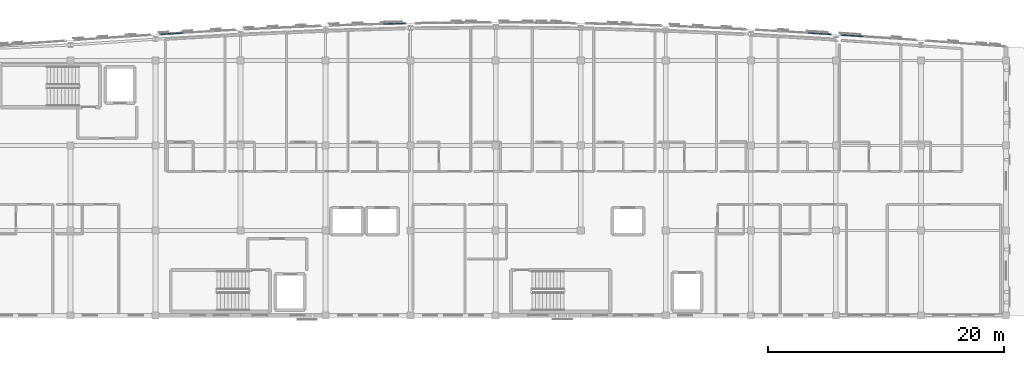
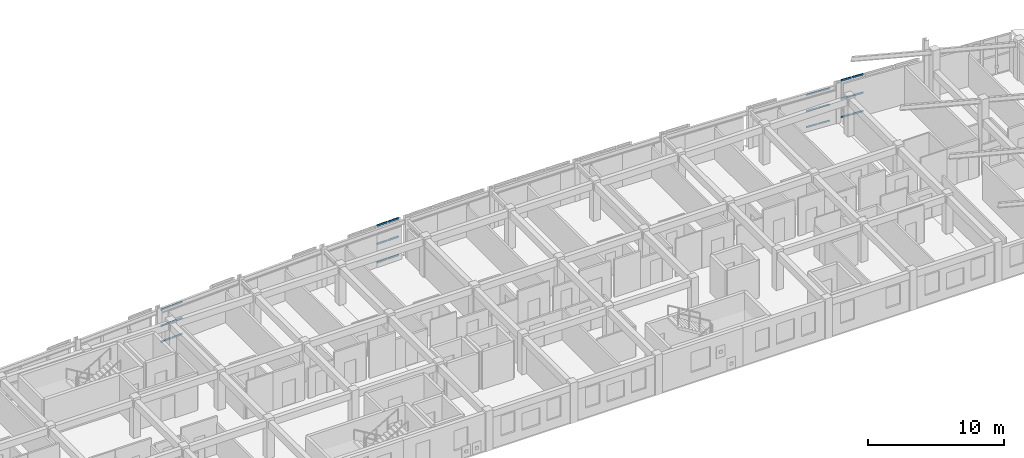
# One storey, part 25 of 41: 24 members, 4 elements without a shape of their own.
"""IFC4 building model written with IfcOpenShell, lengths in metres."""

from ifc_helpers import new_model, si_unit, direction, frame, origin, origin_2d, place, context, subcontext, project, spatial, hollow_rectangle, extrude, material, layer, layer_set, material_profile, profile_set, type_object, element, aggregate, save


model = new_model("IFC4")

# Units and contexts
model_context = context("Model", 3, precision=1e-05, world=origin(), true_north=direction((0.0, 1.0)))
body_context = subcontext(model_context, "Body", "Model", "MODEL_VIEW")
ifc_project = project(units=[si_unit("LENGTHUNIT", "METRE"), si_unit("AREAUNIT", "SQUARE_METRE"), si_unit("VOLUMEUNIT", "CUBIC_METRE"), si_unit("PLANEANGLEUNIT", "RADIAN"), si_unit("MASSUNIT", "GRAM", prefix="KILO")], contexts=[model_context])

# Site, building, storey
site_placement = place(None, origin())
site = spatial("IfcSite", under=ifc_project, at=site_placement, CompositionType="ELEMENT")
building_placement = place(site_placement, origin())
building = spatial("IfcBuilding", under=site, at=building_placement, Name="Carrowvane Square Congress Hotel", CompositionType="ELEMENT")
storey_placement = place(building_placement, frame((0.0, 0.0, 37.199951171875)))
storey = spatial("IfcBuildingStorey", under=building, at=storey_placement, Name="L09", CompositionType="ELEMENT", Elevation=37.199951171875)

# Curtain wall, members
ifc_material_1 = material(Name="Anodised aluminium", Category="aluminium")
ifc_layer_1 = layer(ifc_material_1, 0.23388671875)
ifc_layer_set_1 = layer_set([ifc_layer_1], Name="Anodised aluminium")
curtain_wall_type_1 = type_object("IfcCurtainWallType", Name="CW-SYS-7", PredefinedType="NOTDEFINED", material=ifc_layer_set_1)
curtain_wall_1_placement = place(storey_placement, origin())
curtain_wall_1 = element("IfcCurtainWall", 1, at=curtain_wall_1_placement, inside=storey, type_object=curtain_wall_type_1, Name="L09 unitised curtain wall 542", PredefinedType="NOTDEFINED")
ifc_material_2 = material(Name="Anodised aluminium", Category="aluminium")
ifc_material_profile_1 = material_profile(ifc_material_2, hollow_rectangle(XDim=0.06005859375, YDim=0.1298828125, WallThickness=0.00390625, at=origin_2d()), Name="CW-TR 60x130x4")
ifc_profile_set_1 = profile_set([ifc_material_profile_1], Name="Anodised aluminium")
member_type_1 = type_object("IfcMemberType", Name="CW-TRN-1", PredefinedType="USERDEFINED", material=ifc_profile_set_1)
member_1_placement = place(storey_placement, frame((124.4599609375, 115.720703125, 0.030029296875), z_axis=(0.998038282592, -0.062606600929, 0.0), x_axis=(0.062606600929, 0.998038282592, 0.0)))
member_1 = element("IfcMember", 2, at=member_1_placement, type_object=member_type_1, Name="CW-7 transom 1.1", ObjectType="TRANSOM", PredefinedType="USERDEFINED", context=body_context, shape_type="SweptSolid", body=[
    extrude(hollow_rectangle(XDim=0.06005859375, YDim=0.1298828125, WallThickness=0.00390625, at=origin_2d()), origin(), (0.0, 0.0, 1.0), 0.931884765625),
])
member_2_placement = place(storey_placement, frame((124.4599609375, 115.720703125, 1.477783203125), z_axis=(0.998038282592, -0.062606600929, 0.0), x_axis=(0.062606600929, 0.998038282592, 0.0)))
member_2 = element("IfcMember", 3, at=member_2_placement, type_object=member_type_1, Name="CW-7 transom 1.2", ObjectType="TRANSOM", PredefinedType="USERDEFINED", context=body_context, shape_type="SweptSolid", body=[
    extrude(hollow_rectangle(XDim=0.06005859375, YDim=0.1298828125, WallThickness=0.00390625, at=origin_2d()), origin(), (0.0, 0.0, 1.0), 0.931884765625),
])
member_3_placement = place(storey_placement, frame((124.4599609375, 115.720703125, 2.925537109375), z_axis=(0.998038282592, -0.062606600929, 0.0), x_axis=(0.062606600929, 0.998038282592, 0.0)))
member_3 = element("IfcMember", 4, at=member_3_placement, type_object=member_type_1, Name="CW-7 transom 1.3", ObjectType="TRANSOM", PredefinedType="USERDEFINED", context=body_context, shape_type="SweptSolid", body=[
    extrude(hollow_rectangle(XDim=0.06005859375, YDim=0.1298828125, WallThickness=0.00390625, at=origin_2d()), origin(), (0.0, 0.0, 1.0), 0.931884765625),
])
member_4_placement = place(storey_placement, frame((125.449951171875, 115.65869140625, 0.030029296875), z_axis=(0.998054616523, -0.062345668959, 0.0), x_axis=(0.062345668959, 0.998054616523, 0.0)))
member_4 = element("IfcMember", 5, at=member_4_placement, type_object=member_type_1, Name="CW-7 transom 2.1", ObjectType="TRANSOM", PredefinedType="USERDEFINED", context=body_context, shape_type="SweptSolid", body=[
    extrude(hollow_rectangle(XDim=0.06005859375, YDim=0.1298828125, WallThickness=0.00390625, at=origin_2d()), origin(), (0.0, 0.0, 1.0), 0.931884765625),
])
member_5_placement = place(storey_placement, frame((125.449951171875, 115.65869140625, 1.477783203125), z_axis=(0.998054616523, -0.062345668959, 0.0), x_axis=(0.062345668959, 0.998054616523, 0.0)))
member_5 = element("IfcMember", 6, at=member_5_placement, type_object=member_type_1, Name="CW-7 transom 2.2", ObjectType="TRANSOM", PredefinedType="USERDEFINED", context=body_context, shape_type="SweptSolid", body=[
    extrude(hollow_rectangle(XDim=0.06005859375, YDim=0.1298828125, WallThickness=0.00390625, at=origin_2d()), origin(), (0.0, 0.0, 1.0), 0.931884765625),
])
member_6_placement = place(storey_placement, frame((125.449951171875, 115.65869140625, 2.925537109375), z_axis=(0.998054616523, -0.062345668959, 0.0), x_axis=(0.062345668959, 0.998054616523, 0.0)))
member_6 = element("IfcMember", 7, at=member_6_placement, type_object=member_type_1, Name="CW-7 transom 2.3", ObjectType="TRANSOM", PredefinedType="USERDEFINED", context=body_context, shape_type="SweptSolid", body=[
    extrude(hollow_rectangle(XDim=0.06005859375, YDim=0.1298828125, WallThickness=0.00390625, at=origin_2d()), origin(), (0.0, 0.0, 1.0), 0.931884765625),
])
aggregate(curtain_wall_1, [member_1, member_2, member_3, member_4, member_5, member_6])

ifc_material_3 = material(Name="Anodised aluminium", Category="aluminium")
ifc_layer_2 = layer(ifc_material_3, 0.24609375)
ifc_layer_set_2 = layer_set([ifc_layer_2], Name="Anodised aluminium")
curtain_wall_type_2 = type_object("IfcCurtainWallType", Name="CW-SYS-8", PredefinedType="NOTDEFINED", material=ifc_layer_set_2)
curtain_wall_2_placement = place(storey_placement, origin())
curtain_wall_2 = element("IfcCurtainWall", 8, at=curtain_wall_2_placement, inside=storey, type_object=curtain_wall_type_2, Name="L09 unitised curtain wall 519", PredefinedType="NOTDEFINED")
ifc_material_4 = material(Name="Anodised aluminium", Category="aluminium")
ifc_material_profile_2 = material_profile(ifc_material_4, hollow_rectangle(XDim=0.070068359375, YDim=0.14990234375, WallThickness=0.0048828125, at=origin_2d()), Name="CW-TR 70x150x5")
ifc_profile_set_2 = profile_set([ifc_material_profile_2], Name="Anodised aluminium")
member_type_2 = type_object("IfcMemberType", Name="CW-TRN-2", PredefinedType="USERDEFINED", material=ifc_profile_set_2)
member_7_placement = place(storey_placement, frame((69.6298828125, 115.60107421875, 0.03515625), z_axis=(0.998041167403, 0.062560595983, 0.0), x_axis=(-0.062560595983, 0.998041167403, 0.0)))
member_7 = element("IfcMember", 9, at=member_7_placement, type_object=member_type_2, Name="CW-8 transom 1.1", ObjectType="TRANSOM", PredefinedType="USERDEFINED", context=body_context, shape_type="SweptSolid", body=[
    extrude(hollow_rectangle(XDim=0.070068359375, YDim=0.14990234375, WallThickness=0.0048828125, at=origin_2d()), origin(), (0.0, 0.0, 1.0), 0.9169921875),
])
member_8_placement = place(storey_placement, frame((69.6298828125, 115.60107421875, 1.477783203125), z_axis=(0.998041167403, 0.062560595983, 0.0), x_axis=(-0.062560595983, 0.998041167403, 0.0)))
member_8 = element("IfcMember", 10, at=member_8_placement, type_object=member_type_2, Name="CW-8 transom 1.2", ObjectType="TRANSOM", PredefinedType="USERDEFINED", context=body_context, shape_type="SweptSolid", body=[
    extrude(hollow_rectangle(XDim=0.070068359375, YDim=0.14990234375, WallThickness=0.0048828125, at=origin_2d()), origin(), (0.0, 0.0, 1.0), 0.9169921875),
])
member_9_placement = place(storey_placement, frame((69.6298828125, 115.60107421875, 2.920654296875), z_axis=(0.998041167403, 0.062560595983, 0.0), x_axis=(-0.062560595983, 0.998041167403, 0.0)))
member_9 = element("IfcMember", 11, at=member_9_placement, type_object=member_type_2, Name="CW-8 transom 1.3", ObjectType="TRANSOM", PredefinedType="USERDEFINED", context=body_context, shape_type="SweptSolid", body=[
    extrude(hollow_rectangle(XDim=0.070068359375, YDim=0.14990234375, WallThickness=0.0048828125, at=origin_2d()), origin(), (0.0, 0.0, 1.0), 0.9169921875),
])
member_10_placement = place(storey_placement, frame((70.614990234375, 115.662841796875, 0.03515625), z_axis=(0.998056720879, 0.062311972435, 0.0), x_axis=(-0.062311972435, 0.998056720879, 0.0)))
member_10 = element("IfcMember", 12, at=member_10_placement, type_object=member_type_2, Name="CW-8 transom 2.1", ObjectType="TRANSOM", PredefinedType="USERDEFINED", context=body_context, shape_type="SweptSolid", body=[
    extrude(hollow_rectangle(XDim=0.070068359375, YDim=0.14990234375, WallThickness=0.0048828125, at=origin_2d()), origin(), (0.0, 0.0, 1.0), 0.916748046875),
])
member_11_placement = place(storey_placement, frame((70.614990234375, 115.662841796875, 1.477783203125), z_axis=(0.998056720879, 0.062311972435, 0.0), x_axis=(-0.062311972435, 0.998056720879, 0.0)))
member_11 = element("IfcMember", 13, at=member_11_placement, type_object=member_type_2, Name="CW-8 transom 2.2", ObjectType="TRANSOM", PredefinedType="USERDEFINED", context=body_context, shape_type="SweptSolid", body=[
    extrude(hollow_rectangle(XDim=0.070068359375, YDim=0.14990234375, WallThickness=0.0048828125, at=origin_2d()), origin(), (0.0, 0.0, 1.0), 0.916748046875),
])
member_12_placement = place(storey_placement, frame((70.614990234375, 115.662841796875, 2.920654296875), z_axis=(0.998056720879, 0.062311972435, 0.0), x_axis=(-0.062311972435, 0.998056720879, 0.0)))
member_12 = element("IfcMember", 14, at=member_12_placement, type_object=member_type_2, Name="CW-8 transom 2.3", ObjectType="TRANSOM", PredefinedType="USERDEFINED", context=body_context, shape_type="SweptSolid", body=[
    extrude(hollow_rectangle(XDim=0.070068359375, YDim=0.14990234375, WallThickness=0.0048828125, at=origin_2d()), origin(), (0.0, 0.0, 1.0), 0.916748046875),
])
aggregate(curtain_wall_2, [member_7, member_8, member_9, member_10, member_11, member_12])

curtain_wall_3_placement = place(storey_placement, origin())
curtain_wall_3 = element("IfcCurtainWall", 15, at=curtain_wall_3_placement, inside=storey, type_object=curtain_wall_type_2, Name="L09 unitised curtain wall 527", PredefinedType="NOTDEFINED")
member_13_placement = place(storey_placement, frame((88.469970703125, 116.477294921875, 0.03515625), z_axis=(0.999746023727, 0.022536371529, 0.0), x_axis=(-0.022536371529, 0.999746023727, 0.0)))
member_13 = element("IfcMember", 16, at=member_13_placement, type_object=member_type_2, Name="CW-8 transom 1.1", ObjectType="TRANSOM", PredefinedType="USERDEFINED", context=body_context, shape_type="SweptSolid", body=[
    extrude(hollow_rectangle(XDim=0.070068359375, YDim=0.14990234375, WallThickness=0.0048828125, at=origin_2d()), origin(), (0.0, 0.0, 1.0), 0.899169921875),
])
member_14_placement = place(storey_placement, frame((88.469970703125, 116.477294921875, 1.68994140625), z_axis=(0.999746023727, 0.022536371529, 0.0), x_axis=(-0.022536371529, 0.999746023727, 0.0)))
member_14 = element("IfcMember", 17, at=member_14_placement, type_object=member_type_2, Name="CW-8 transom 1.2", ObjectType="TRANSOM", PredefinedType="USERDEFINED", context=body_context, shape_type="SweptSolid", body=[
    extrude(hollow_rectangle(XDim=0.070068359375, YDim=0.14990234375, WallThickness=0.0048828125, at=origin_2d()), origin(), (0.0, 0.0, 1.0), 0.899169921875),
])
member_15_placement = place(storey_placement, frame((88.469970703125, 116.477294921875, 3.344970703125), z_axis=(0.999746023727, 0.022536371529, 0.0), x_axis=(-0.022536371529, 0.999746023727, 0.0)))
member_15 = element("IfcMember", 18, at=member_15_placement, type_object=member_type_2, Name="CW-8 transom 1.3", ObjectType="TRANSOM", PredefinedType="USERDEFINED", context=body_context, shape_type="SweptSolid", body=[
    extrude(hollow_rectangle(XDim=0.070068359375, YDim=0.14990234375, WallThickness=0.0048828125, at=origin_2d()), origin(), (0.0, 0.0, 1.0), 0.899169921875),
])
member_16_placement = place(storey_placement, frame((89.438720703125, 116.4990234375, 0.03515625), z_axis=(0.999746023727, 0.022536371529, 0.0), x_axis=(-0.022536371529, 0.999746023727, 0.0)))
member_16 = element("IfcMember", 19, at=member_16_placement, type_object=member_type_2, Name="CW-8 transom 2.1", ObjectType="TRANSOM", PredefinedType="USERDEFINED", context=body_context, shape_type="SweptSolid", body=[
    extrude(hollow_rectangle(XDim=0.070068359375, YDim=0.14990234375, WallThickness=0.0048828125, at=origin_2d()), origin(), (0.0, 0.0, 1.0), 0.899169921875),
])
member_17_placement = place(storey_placement, frame((89.438720703125, 116.4990234375, 1.68994140625), z_axis=(0.999746023727, 0.022536371529, 0.0), x_axis=(-0.022536371529, 0.999746023727, 0.0)))
member_17 = element("IfcMember", 20, at=member_17_placement, type_object=member_type_2, Name="CW-8 transom 2.2", ObjectType="TRANSOM", PredefinedType="USERDEFINED", context=body_context, shape_type="SweptSolid", body=[
    extrude(hollow_rectangle(XDim=0.070068359375, YDim=0.14990234375, WallThickness=0.0048828125, at=origin_2d()), origin(), (0.0, 0.0, 1.0), 0.899169921875),
])
member_18_placement = place(storey_placement, frame((89.438720703125, 116.4990234375, 3.344970703125), z_axis=(0.999746023727, 0.022536371529, 0.0), x_axis=(-0.022536371529, 0.999746023727, 0.0)))
member_18 = element("IfcMember", 21, at=member_18_placement, type_object=member_type_2, Name="CW-8 transom 2.3", ObjectType="TRANSOM", PredefinedType="USERDEFINED", context=body_context, shape_type="SweptSolid", body=[
    extrude(hollow_rectangle(XDim=0.070068359375, YDim=0.14990234375, WallThickness=0.0048828125, at=origin_2d()), origin(), (0.0, 0.0, 1.0), 0.899169921875),
])
aggregate(curtain_wall_3, [member_13, member_14, member_15, member_16, member_17, member_18])

curtain_wall_4_placement = place(storey_placement, origin())
curtain_wall_4 = element("IfcCurtainWall", 22, at=curtain_wall_4_placement, inside=storey, type_object=curtain_wall_type_2, Name="L09 unitised curtain wall 543", PredefinedType="NOTDEFINED")
member_19_placement = place(storey_placement, frame((127.2783203125, 115.54296875, 0.03515625), z_axis=(0.997861922188, -0.065357358017, 0.0), x_axis=(0.065357358017, 0.997861922188, 0.0)))
member_19 = element("IfcMember", 23, at=member_19_placement, type_object=member_type_2, Name="CW-8 transom 1.1", ObjectType="TRANSOM", PredefinedType="USERDEFINED", context=body_context, shape_type="SweptSolid", body=[
    extrude(hollow_rectangle(XDim=0.070068359375, YDim=0.14990234375, WallThickness=0.0048828125, at=origin_2d()), origin(), (0.0, 0.0, 1.0), 0.892822265625),
])
member_20_placement = place(storey_placement, frame((127.2783203125, 115.54296875, 1.68994140625), z_axis=(0.997861922188, -0.065357358017, 0.0), x_axis=(0.065357358017, 0.997861922188, 0.0)))
member_20 = element("IfcMember", 24, at=member_20_placement, type_object=member_type_2, Name="CW-8 transom 1.2", ObjectType="TRANSOM", PredefinedType="USERDEFINED", context=body_context, shape_type="SweptSolid", body=[
    extrude(hollow_rectangle(XDim=0.070068359375, YDim=0.14990234375, WallThickness=0.0048828125, at=origin_2d()), origin(), (0.0, 0.0, 1.0), 0.892822265625),
])
member_21_placement = place(storey_placement, frame((127.2783203125, 115.54296875, 3.344970703125), z_axis=(0.997861922188, -0.065357358017, 0.0), x_axis=(0.065357358017, 0.997861922188, 0.0)))
member_21 = element("IfcMember", 25, at=member_21_placement, type_object=member_type_2, Name="CW-8 transom 1.3", ObjectType="TRANSOM", PredefinedType="USERDEFINED", context=body_context, shape_type="SweptSolid", body=[
    extrude(hollow_rectangle(XDim=0.070068359375, YDim=0.14990234375, WallThickness=0.0048828125, at=origin_2d()), origin(), (0.0, 0.0, 1.0), 0.892822265625),
])
member_22_placement = place(storey_placement, frame((128.2392578125, 115.47998046875, 0.03515625), z_axis=(0.997861922188, -0.065357358017, 0.0), x_axis=(0.065357358017, 0.997861922188, 0.0)))
member_22 = element("IfcMember", 26, at=member_22_placement, type_object=member_type_2, Name="CW-8 transom 2.1", ObjectType="TRANSOM", PredefinedType="USERDEFINED", context=body_context, shape_type="SweptSolid", body=[
    extrude(hollow_rectangle(XDim=0.070068359375, YDim=0.14990234375, WallThickness=0.0048828125, at=origin_2d()), origin(), (0.0, 0.0, 1.0), 0.892822265625),
])
member_23_placement = place(storey_placement, frame((128.2392578125, 115.47998046875, 1.68994140625), z_axis=(0.997861922188, -0.065357358017, 0.0), x_axis=(0.065357358017, 0.997861922188, 0.0)))
member_23 = element("IfcMember", 27, at=member_23_placement, type_object=member_type_2, Name="CW-8 transom 2.2", ObjectType="TRANSOM", PredefinedType="USERDEFINED", context=body_context, shape_type="SweptSolid", body=[
    extrude(hollow_rectangle(XDim=0.070068359375, YDim=0.14990234375, WallThickness=0.0048828125, at=origin_2d()), origin(), (0.0, 0.0, 1.0), 0.892822265625),
])
member_24_placement = place(storey_placement, frame((128.2392578125, 115.47998046875, 3.344970703125), z_axis=(0.997861922188, -0.065357358017, 0.0), x_axis=(0.065357358017, 0.997861922188, 0.0)))
member_24 = element("IfcMember", 28, at=member_24_placement, type_object=member_type_2, Name="CW-8 transom 2.3", ObjectType="TRANSOM", PredefinedType="USERDEFINED", context=body_context, shape_type="SweptSolid", body=[
    extrude(hollow_rectangle(XDim=0.070068359375, YDim=0.14990234375, WallThickness=0.0048828125, at=origin_2d()), origin(), (0.0, 0.0, 1.0), 0.892822265625),
])
aggregate(curtain_wall_4, [member_19, member_20, member_21, member_22, member_23, member_24])

save(model, "model.ifc")
